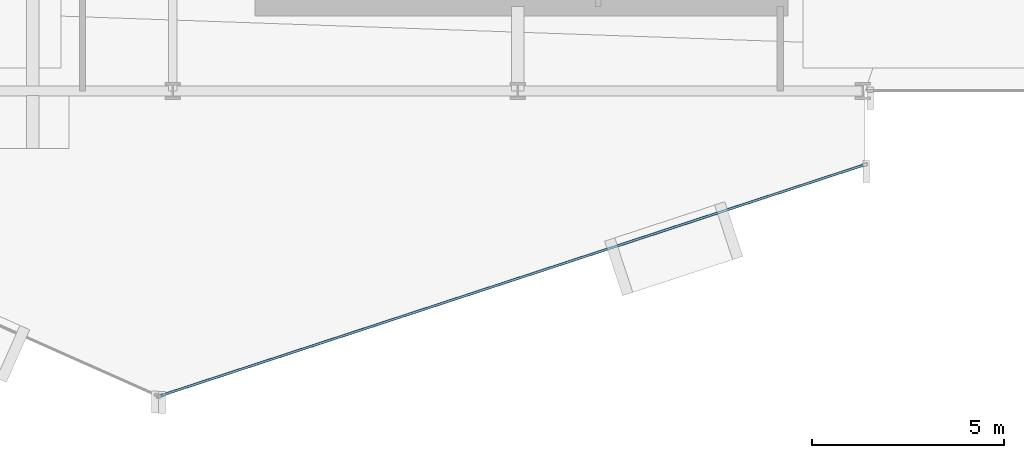
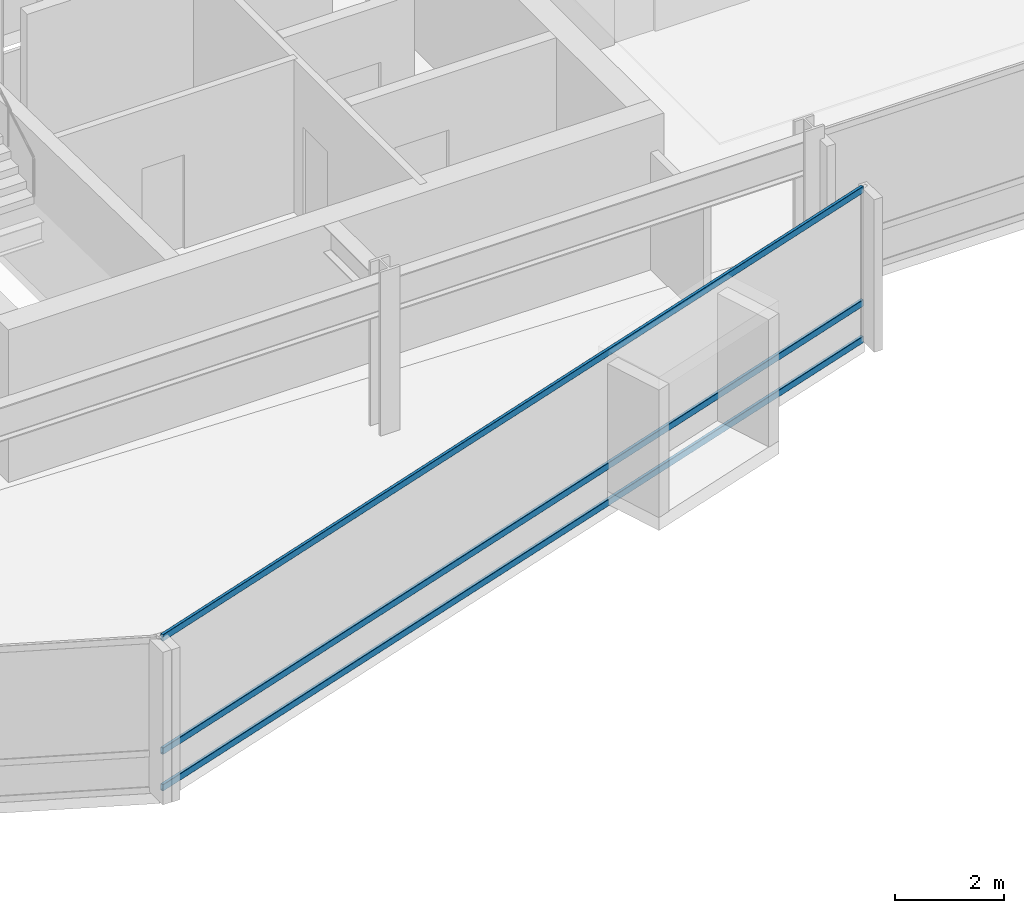
# One storey, part 9 of 28: 3 members, 1 element without a shape of its own.
"""IFC4 building model written with IfcOpenShell, lengths in metres."""

import ifcopenshell
import ifcopenshell.guid

model = None  # the IFC model being written
_history = None  # IfcOwnerHistory: only IFC2X3 demands one
_inside = {}  # id of a spatial element -> (the spatial element, [elements in it])
_under = {}  # id of a project, library or spatial element -> (it, [spatial elements below it])
_declared = {}  # id of a project -> (the project, [libraries it declares])
_typed = {}  # id of a type object -> (the type object, [elements of that type])
_made_of = {}  # id of a material, layer set ... -> (it, [elements and type objects made of it])


def new_model(schema):
    """Start an empty IFC model of exactly this schema.

    Asked for "IFC4X3", IfcOpenShell would pick the latest addendum, in which some entities
    have other attributes; the version numbers below select the first issue.
    IFC2X3 requires an IfcOwnerHistory on every rooted entity: one is made here for all.
    """
    global model, _history
    if schema == "IFC4X3":
        model = ifcopenshell.file(schema_version=(4, 3, 0, 0))
    else:
        model = ifcopenshell.file(schema=schema)
    _inside.clear()
    _under.clear()
    _declared.clear()
    _typed.clear()
    _made_of.clear()
    _history = None
    if model.schema == "IFC2X3":
        org = make("IfcOrganization", Name="unknown")
        user = make(
            "IfcPersonAndOrganization",
            ThePerson=make("IfcPerson", FamilyName="unknown"),
            TheOrganization=org,
        )
        app = make(
            "IfcApplication",
            ApplicationDeveloper=org,
            Version="unknown",
            ApplicationFullName="unknown",
            ApplicationIdentifier="unknown",
        )
        _history = make(
            "IfcOwnerHistory",
            OwningUser=user,
            OwningApplication=app,
            ChangeAction="ADDED",
            CreationDate=0,
        )
    return model


def make(cls, **values):
    """One entity of the class cls with the attributes given. An attribute that is None is left unset."""
    return model.create_entity(
        cls, **{name: value for name, value in values.items() if value is not None}
    )


def rooted(cls, **values):
    """An entity with a GlobalId (a new one), such as an element, a storey or a relation."""
    return make(cls, GlobalId=ifcopenshell.guid.new(), OwnerHistory=_history, **values)


def si_unit(unit_type, name, prefix=None):
    """IfcSIUnit, for example si_unit("LENGTHUNIT", "METRE", prefix="MILLI")."""
    return make("IfcSIUnit", UnitType=unit_type, Prefix=prefix, Name=name)


def assignment(units):
    """IfcUnitAssignment: the units of a project."""
    return None if units is None else make("IfcUnitAssignment", Units=units)


def point(xyz):
    """IfcCartesianPoint."""
    return None if xyz is None else make("IfcCartesianPoint", Coordinates=xyz)


def direction(xyz):
    """IfcDirection."""
    return None if xyz is None else make("IfcDirection", DirectionRatios=xyz)


def frame(location, z_axis=None, x_axis=None):
    """IfcAxis2Placement3D, a coordinate frame: its origin and axes. An axis left out is left unset."""
    return make(
        "IfcAxis2Placement3D",
        Location=point(location),
        Axis=direction(z_axis),
        RefDirection=direction(x_axis),
    )


def frame_2d(location, x_axis=None):
    """IfcAxis2Placement2D, a coordinate frame in the plane: its origin and x axis."""
    return make(
        "IfcAxis2Placement2D", Location=point(location), RefDirection=direction(x_axis)
    )


def origin():
    """The frame at (0, 0, 0) with its axes left unset."""
    return frame((0.0, 0.0, 0.0))


def origin_2d():
    """The frame at (0, 0) in the plane with its x axis left unset."""
    return frame_2d((0.0, 0.0))


def place(relative_to, where):
    """IfcLocalPlacement: puts the frame where relative to a parent placement (None: the world)."""
    return make(
        "IfcLocalPlacement", PlacementRelTo=relative_to, RelativePlacement=where
    )


def context(
    kind, dimensions, precision=None, world=None, true_north=None, identifier=None
):
    """IfcGeometricRepresentationContext, for example the 3D "Model" context."""
    return make(
        "IfcGeometricRepresentationContext",
        ContextIdentifier=identifier,
        ContextType=kind,
        CoordinateSpaceDimension=dimensions,
        Precision=precision,
        WorldCoordinateSystem=world,
        TrueNorth=true_north,
    )


def subcontext(parent, identifier, kind, view, scale=None):
    """IfcGeometricRepresentationSubContext, for example "Body" below "Model"."""
    return make(
        "IfcGeometricRepresentationSubContext",
        ContextIdentifier=identifier,
        ContextType=kind,
        ParentContext=parent,
        TargetScale=scale,
        TargetView=view,
    )


def project(units=None, contexts=None):
    """IfcProject with its units and contexts."""
    return rooted(
        "IfcProject",
        Name="project",
        RepresentationContexts=contexts,
        UnitsInContext=assignment(units),
    )


def spatial(cls, under=None, at=None, **own):
    """A site, building, storey or space (cls), placed at a placement, below another one or the project."""
    s = rooted(cls, ObjectPlacement=at, **own)
    if under is not None:
        _under.setdefault(under.id(), (under, []))[1].append(s)
    return s


def profile(cls, at=None, kind="AREA", **sizes):
    """A parametric profile (cls). Its sizes go by their IFC names, for example OverallWidth=200.0."""
    return make(cls, ProfileType=kind, Position=at, **sizes)


def hollow_rectangle(**sizes):
    """IfcRectangleHollowProfileDef."""
    return profile("IfcRectangleHollowProfileDef", **sizes)


def extrude(swept, where, along, depth):
    """IfcExtrudedAreaSolid: the profile swept, set in the frame where, extruded along a direction by depth."""
    return make(
        "IfcExtrudedAreaSolid",
        SweptArea=swept,
        Position=where,
        ExtrudedDirection=direction(along),
        Depth=depth,
    )


def shape(context_of_items, identifier, shape_type, items):
    """IfcShapeRepresentation: the items that make up one representation, for example the "Body"."""
    return make(
        "IfcShapeRepresentation",
        ContextOfItems=context_of_items,
        RepresentationIdentifier=identifier,
        RepresentationType=shape_type,
        Items=items,
    )


def material(Name=None, Category=None):
    """IfcMaterial."""
    return make("IfcMaterial", Name=Name, Category=Category)


def layer(
    of_material, thickness, ventilated=None, Name=None, Category=None, Priority=None
):
    """IfcMaterialLayer: one layer of a wall or slab, of a material (None: an air gap)."""
    return make(
        "IfcMaterialLayer",
        Material=of_material,
        LayerThickness=thickness,
        IsVentilated=ventilated,
        Name=Name,
        Category=Category,
        Priority=Priority,
    )


def layer_set(layers, Name=None):
    """IfcMaterialLayerSet."""
    return make("IfcMaterialLayerSet", MaterialLayers=layers, LayerSetName=Name)


def material_profile(
    of_material, cross_section, Name=None, Category=None, Priority=None
):
    """IfcMaterialProfile: a cross section and its material."""
    return make(
        "IfcMaterialProfile",
        Name=Name,
        Material=of_material,
        Profile=cross_section,
        Priority=Priority,
        Category=Category,
    )


def profile_set(profiles, Name=None, composite=None):
    """IfcMaterialProfileSet."""
    return make(
        "IfcMaterialProfileSet",
        Name=Name,
        MaterialProfiles=profiles,
        CompositeProfile=composite,
    )


def made_of(thing, what):
    """Note that an element or type object is made of a material, layer set ...; save() writes the relation."""
    if what is not None:
        _made_of.setdefault(what.id(), (what, []))[1].append(thing)
    return thing


def type_object(cls, material=None, **own):
    """A type object (cls), such as IfcWallType, which elements share."""
    return made_of(rooted(cls, **own), material)


def element(
    cls,
    number,
    at=None,
    inside=None,
    cuts=None,
    type_object=None,
    material=None,
    context=None,
    identifier="Body",
    shape_type=None,
    held_by="IfcProductDefinitionShape",
    body=None,
    shapes=None,
    **own,
):
    """One element of the class cls, such as IfcWall. Its Tag is "e" and its number.

    at: its placement. inside: the storey or other place that contains it. cuts: it is an
    opening in that element (IfcRelVoidsElement). A single representation is given by context,
    identifier, shape_type and body (its items); several are given by shapes. held_by: the class
    of the entity that holds the representations. save() writes the other relations.
    """
    e = rooted(cls, Tag="e%d" % number, ObjectPlacement=at, **own)
    if body is not None:
        shapes = [shape(context, identifier, shape_type, body)]
    if shapes is not None:
        e.Representation = make(held_by, Representations=shapes)
    if inside is not None:
        _inside.setdefault(inside.id(), (inside, []))[1].append(e)
    if cuts is not None:
        rooted(
            "IfcRelVoidsElement", RelatingBuildingElement=cuts, RelatedOpeningElement=e
        )
    if type_object is not None:
        _typed.setdefault(type_object.id(), (type_object, []))[1].append(e)
    return made_of(e, material)


def aggregate(whole, parts):
    """IfcRelAggregates: a whole, such as a stair, and the parts it consists of."""
    return rooted("IfcRelAggregates", RelatingObject=whole, RelatedObjects=parts)


def save(model, path):
    """Write the relations noted so far, then the file.

    IfcRelAggregates (storeys below a building ...), IfcRelContainedInSpatialStructure (elements
    in a storey), IfcRelDefinesByType, IfcRelAssociatesMaterial and IfcRelDeclares: one each for
    every whole, place, type object, material and project.
    """
    for whole, parts in _under.values():
        aggregate(whole, parts)
    for where, things in _inside.values():
        rooted(
            "IfcRelContainedInSpatialStructure",
            RelatedElements=things,
            RelatingStructure=where,
        )
    for kind, things in _typed.values():
        rooted("IfcRelDefinesByType", RelatedObjects=things, RelatingType=kind)
    for what, things in _made_of.values():
        rooted("IfcRelAssociatesMaterial", RelatedObjects=things, RelatingMaterial=what)
    for by, libraries in _declared.values():
        rooted("IfcRelDeclares", RelatingContext=by, RelatedDefinitions=libraries)
    model.write(path)


model = new_model("IFC4")

# Units and contexts
model_context = context("Model", 3, precision=1e-05, world=origin(), true_north=direction((0.0, 1.0)))
body_context = subcontext(model_context, "Body", "Model", "MODEL_VIEW")
ifc_project = project(units=[si_unit("LENGTHUNIT", "METRE"), si_unit("AREAUNIT", "SQUARE_METRE"), si_unit("VOLUMEUNIT", "CUBIC_METRE"), si_unit("PLANEANGLEUNIT", "RADIAN"), si_unit("MASSUNIT", "GRAM", prefix="KILO")], contexts=[model_context])

# Site, building, storey
site_placement = place(None, origin())
site = spatial("IfcSite", under=ifc_project, at=site_placement, CompositionType="ELEMENT")
building_placement = place(site_placement, origin())
building = spatial("IfcBuilding", under=site, at=building_placement, Name="Solvaryn Broadcast Tower", CompositionType="ELEMENT")
storey_placement = place(building_placement, frame((0.0, 0.0, 150.699951171875)))
storey = spatial("IfcBuildingStorey", under=building, at=storey_placement, Name="L37", CompositionType="ELEMENT", Elevation=150.699951171875)

# Curtain wall, members
ifc_material_1 = material(Name="Aluminium and Terracotta Unitised Curtain Wall", Category="masonry")
ifc_layer = layer(ifc_material_1, 0.199951171875)
ifc_layer_set = layer_set([ifc_layer], Name="CW-SYS2-LOWMID")
curtain_wall_type = type_object("IfcCurtainWallType", Name="CW-SYS2-LOWMID", PredefinedType="NOTDEFINED", material=ifc_layer_set)
curtain_wall_placement = place(storey_placement, origin())
curtain_wall = element("IfcCurtainWall", 1, at=curtain_wall_placement, inside=storey, type_object=curtain_wall_type, Name="L37 Curtain Wall DR4", PredefinedType="NOTDEFINED")
ifc_material_2 = material(Name="Anodised Aluminium 6063-T6", Category="aluminium")
ifc_material_profile = material_profile(ifc_material_2, hollow_rectangle(XDim=0.06494140625, YDim=0.14990234375, WallThickness=0.00390625, InnerFilletRadius=0.00390625, OuterFilletRadius=0.008056640625, at=origin_2d()))
ifc_profile_set = profile_set([ifc_material_profile], Name="Anodised Aluminium 6063-T6")
member_type = type_object("IfcMemberType", Name="CW-TRN-150", PredefinedType="USERDEFINED", material=ifc_profile_set)
member_1_placement = place(storey_placement, frame((26.693115234375, 1.052734375, 0.030029296875), z_axis=(0.950198373323, 0.31164571445, 0.0), x_axis=(-0.31164571445, 0.950198373323, 0.0)))
member_1 = element("IfcMember", 2, at=member_1_placement, type_object=member_type, Name="CWS2 transom 1.1", ObjectType="TRANSOM", PredefinedType="USERDEFINED", context=body_context, shape_type="SweptSolid", body=[
    extrude(hollow_rectangle(XDim=0.06494140625, YDim=0.14990234375, WallThickness=0.00390625, InnerFilletRadius=0.00390625, OuterFilletRadius=0.008056640625, at=origin_2d()), origin(), (0.0, 0.0, 1.0), 19.27685546875),
])
member_2_placement = place(storey_placement, frame((26.693115234375, 1.052734375, 0.85009765625), z_axis=(0.950198373323, 0.31164571445, 0.0), x_axis=(-0.31164571445, 0.950198373323, 0.0)))
member_2 = element("IfcMember", 3, at=member_2_placement, type_object=member_type, Name="CWS2 transom 1.2", ObjectType="TRANSOM", PredefinedType="USERDEFINED", context=body_context, shape_type="SweptSolid", body=[
    extrude(hollow_rectangle(XDim=0.06494140625, YDim=0.14990234375, WallThickness=0.00390625, InnerFilletRadius=0.00390625, OuterFilletRadius=0.008056640625, at=origin_2d()), origin(), (0.0, 0.0, 1.0), 19.27685546875),
])
member_3_placement = place(storey_placement, frame((26.693115234375, 1.052734375, 3.39013671875), z_axis=(0.950198373323, 0.31164571445, 0.0), x_axis=(-0.31164571445, 0.950198373323, 0.0)))
member_3 = element("IfcMember", 4, at=member_3_placement, type_object=member_type, Name="CWS2 transom 1.3", ObjectType="TRANSOM", PredefinedType="USERDEFINED", context=body_context, shape_type="SweptSolid", body=[
    extrude(hollow_rectangle(XDim=0.06494140625, YDim=0.14990234375, WallThickness=0.00390625, InnerFilletRadius=0.00390625, OuterFilletRadius=0.008056640625, at=origin_2d()), origin(), (0.0, 0.0, 1.0), 19.27685546875),
])
aggregate(curtain_wall, [member_1, member_2, member_3])

save(model, "model.ifc")
